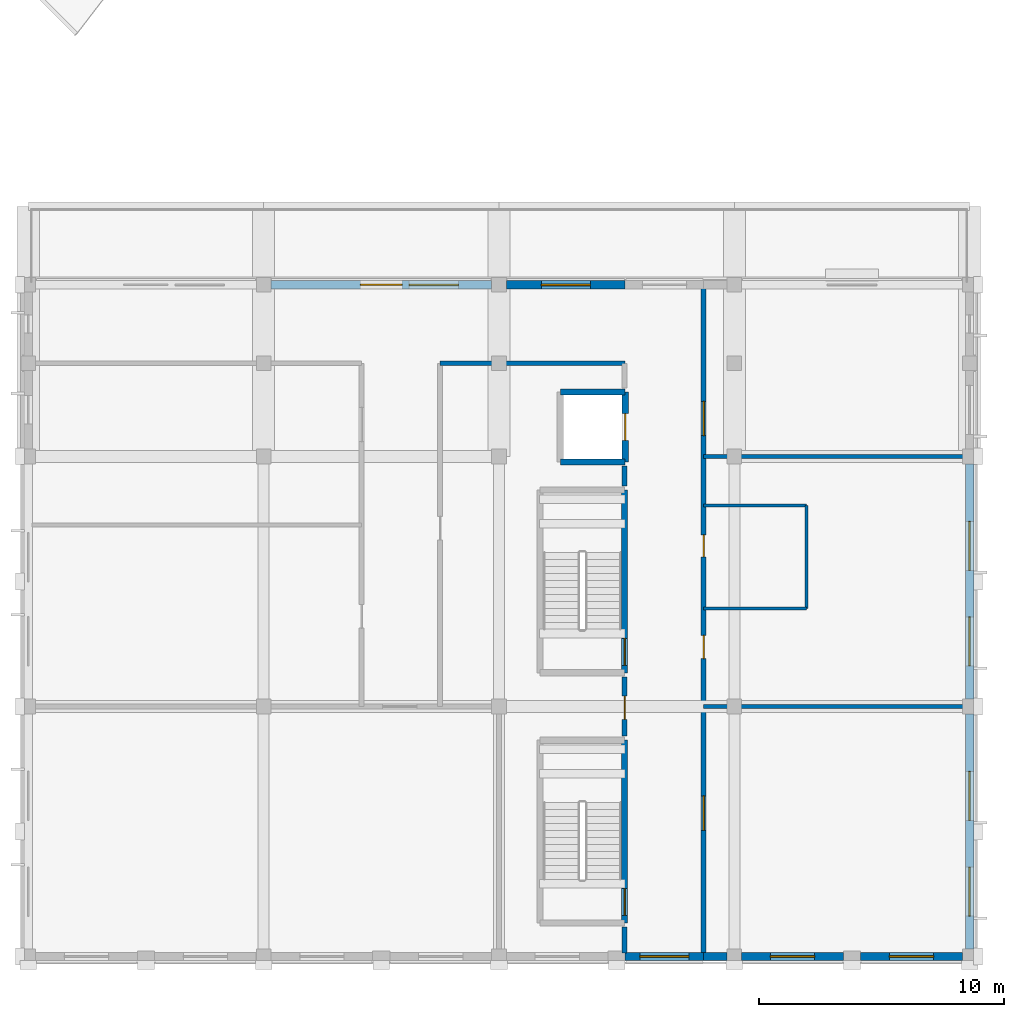
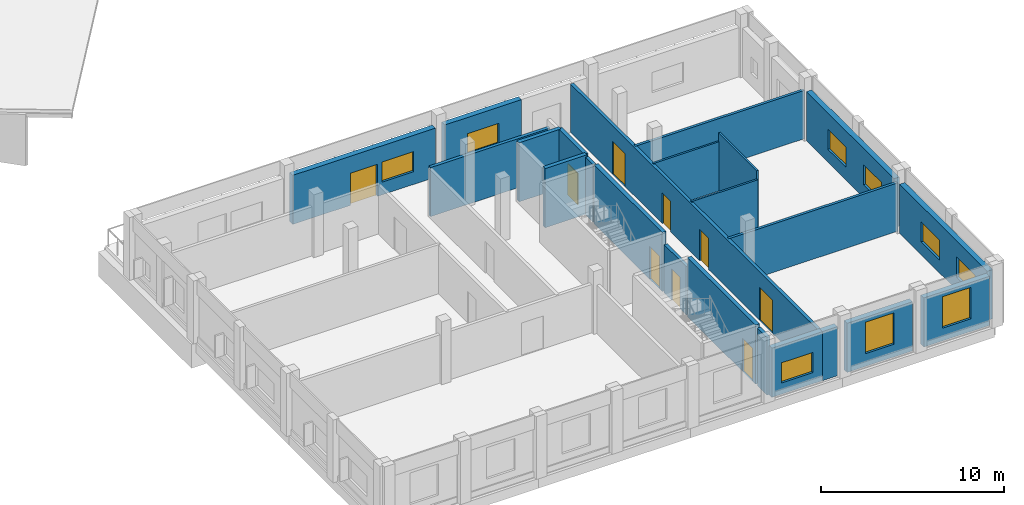
# One storey, part 185 of 200: 23 walls, 9 doors, 9 windows, 18 openings.
"""IFC4 building model written with IfcOpenShell, lengths in metres."""

from ifc_helpers import new_model, si_unit, direction, frame, frame_2d, origin, place, context, subcontext, project, spatial, rectangle, extrude, material, layer, layer_set, type_object, element, fill, save


model = new_model("IFC4")

# Units and contexts
model_context = context("Model", 3, precision=1e-05, world=origin(), true_north=direction((0.0, 1.0)))
body_context = subcontext(model_context, "Body", "Model", "MODEL_VIEW")
ifc_project = project(units=[si_unit("LENGTHUNIT", "METRE"), si_unit("AREAUNIT", "SQUARE_METRE"), si_unit("VOLUMEUNIT", "CUBIC_METRE"), si_unit("PLANEANGLEUNIT", "RADIAN"), si_unit("MASSUNIT", "GRAM", prefix="KILO")], contexts=[model_context])

# Site, building, storey
site_placement = place(None, origin())
site = spatial("IfcSite", under=ifc_project, at=site_placement, CompositionType="ELEMENT")
building_placement = place(site_placement, origin())
building = spatial("IfcBuilding", under=site, at=building_placement, Name="Vondelvale Polytechnic", CompositionType="ELEMENT")
storey_placement = place(building_placement, frame((0.0, 0.0, 13.800048828125)))
storey = spatial("IfcBuildingStorey", under=building, at=storey_placement, Name="L03", CompositionType="ELEMENT", Elevation=13.800048828125)

# Wall, opening, window
ifc_material_1 = material(Name="Amsterdam School iron-spot clinker clay brickwork", Category="masonry")
ifc_layer_1 = layer(ifc_material_1, 0.340087890625)
ifc_layer_set_1 = layer_set([ifc_layer_1], Name="WL-BRICK-340")
wall_type_1 = type_object("IfcWallType", Name="WL-BRICK-340", PredefinedType="SOLIDWALL", material=ifc_layer_set_1)
wall_1_placement = place(storey_placement, frame((161.949951171875, 0.0, 0.0), z_axis=(0.0, 0.0, 1.0), x_axis=(-1.0, 0.0, 0.0)))
wall_1 = element("IfcWall", 1, at=wall_1_placement, inside=storey, type_object=wall_type_1, Name="L03 exterior masonry facade wall", PredefinedType="SOLIDWALL", context=body_context, shape_type="SweptSolid", body=[
    extrude(rectangle(XDim=3.198974609375, YDim=0.340087890625, at=frame_2d((1.599609375, 0.0))), origin(), (0.0, 0.0, 1.0), 3.280029296875),
])
opening_1_placement = place(wall_1_placement, frame((0.599609375, 0.0, 0.75)))
opening_1 = element("IfcOpeningElement", 2, at=opening_1_placement, cuts=wall_1, Name="Opening WN-0397", PredefinedType="OPENING", context=body_context, shape_type="SweptSolid", body=[
    extrude(rectangle(XDim=2.0, YDim=1.35009765625, at=frame_2d((1.0, 0.675048828125))), frame((0.0, 0.179931640625, 0.0), z_axis=(0.0, -1.0, 0.0), x_axis=(1.0, 0.0, 0.0)), (0.0, 0.0, 1.0), 0.360107421875),
])
ifc_material_2 = material(Name="Double-glazed low-E insulated architectural glass", Category="glass")
window_type_1 = type_object("IfcWindowType", Name="WN-RIB-2000x1350", PartitioningType="SINGLE_PANEL", PredefinedType="WINDOW", material=ifc_material_2)
window_1_placement = place(opening_1_placement, origin())
window_1 = element("IfcWindow", 3, at=window_1_placement, inside=storey, type_object=window_type_1, Name="L03 double-glazed architectural window WN-0397", OverallHeight=1.35009765625, OverallWidth=2.0, PartitioningType="SINGLE_PANEL", PredefinedType="WINDOW", context=body_context, shape_type="SweptSolid", body=[
    extrude(rectangle(XDim=2.0, YDim=1.35009765625, at=frame_2d((1.0, 0.675048828125))), frame((0.0, 0.030029296875, 0.0), z_axis=(0.0, -1.0, 0.0), x_axis=(1.0, 0.0, 0.0)), (0.0, 0.0, 1.0), 0.06005859375),
])
fill(opening_1, window_1)

# Wall
wall_2_placement = place(storey_placement, frame((162.89892578125, 0.0, 0.0), z_axis=(0.0, 0.0, 1.0), x_axis=(-1.0, 0.0, 0.0)))
element("IfcWall", 4, at=wall_2_placement, inside=storey, type_object=wall_type_1, Name="L03 exterior masonry facade wall", PredefinedType="SOLIDWALL", context=body_context, shape_type="SweptSolid", body=[
    extrude(rectangle(XDim=0.948974609375, YDim=0.340087890625, at=frame_2d((0.474609375, 0.0))), origin(), (0.0, 0.0, 1.0), 3.280029296875),
])

# Wall, opening, window
wall_3_placement = place(storey_placement, frame((167.64892578125, 0.0, 0.0), z_axis=(0.0, 0.0, 1.0), x_axis=(-1.0, 0.0, 0.0)))
wall_3 = element("IfcWall", 5, at=wall_3_placement, inside=storey, type_object=wall_type_1, Name="L03 exterior masonry facade wall", PredefinedType="SOLIDWALL", context=body_context, shape_type="SweptSolid", body=[
    extrude(rectangle(XDim=4.14794921875, YDim=0.340087890625, at=frame_2d((2.073974609375, 0.0))), origin(), (0.0, 0.0, 1.0), 3.280029296875),
])
opening_2_placement = place(wall_3_placement, frame((1.174072265625, 0.0, 0.85009765625)))
opening_2 = element("IfcOpeningElement", 6, at=opening_2_placement, cuts=wall_3, Name="Opening WN-0398", PredefinedType="OPENING", context=body_context, shape_type="SweptSolid", body=[
    extrude(rectangle(XDim=1.800048828125, YDim=2.10009765625, at=frame_2d((0.89990234375, 1.050048828125))), frame((0.0, 0.179931640625, 0.0), z_axis=(0.0, -1.0, 0.0), x_axis=(1.0, 0.0, 0.0)), (0.0, 0.0, 1.0), 0.360107421875),
])
window_type_2 = type_object("IfcWindowType", Name="WN-LAB-1800x2100", PartitioningType="SINGLE_PANEL", PredefinedType="WINDOW", material=ifc_material_2)
window_2_placement = place(opening_2_placement, origin())
window_2 = element("IfcWindow", 7, at=window_2_placement, inside=storey, type_object=window_type_2, Name="L03 double-glazed architectural window WN-0398", OverallHeight=2.10009765625, OverallWidth=1.800048828125, PartitioningType="SINGLE_PANEL", PredefinedType="WINDOW", context=body_context, shape_type="SweptSolid", body=[
    extrude(rectangle(XDim=1.800048828125, YDim=2.10009765625, at=frame_2d((0.89990234375, 1.050048828125))), frame((0.0, 0.030029296875, 0.0), z_axis=(0.0, -1.0, 0.0), x_axis=(1.0, 0.0, 0.0)), (0.0, 0.0, 1.0), 0.06005859375),
])
fill(opening_2, window_2)

wall_4_placement = place(storey_placement, frame((172.4990234375, 0.0, 0.0), z_axis=(0.0, 0.0, 1.0), x_axis=(-1.0, 0.0, 0.0)))
wall_4 = element("IfcWall", 8, at=wall_4_placement, inside=storey, type_object=wall_type_1, Name="L03 exterior masonry facade wall", PredefinedType="SOLIDWALL", context=body_context, shape_type="SweptSolid", body=[
    extrude(rectangle(XDim=4.14794921875, YDim=0.340087890625, at=frame_2d((2.073974609375, 0.0))), origin(), (0.0, 0.0, 1.0), 3.280029296875),
])
opening_3_placement = place(wall_4_placement, frame((1.174072265625, 0.0, 0.85009765625)))
opening_3 = element("IfcOpeningElement", 9, at=opening_3_placement, cuts=wall_4, Name="Opening WN-0399", PredefinedType="OPENING", context=body_context, shape_type="SweptSolid", body=[
    extrude(rectangle(XDim=1.800048828125, YDim=2.10009765625, at=frame_2d((0.89990234375, 1.050048828125))), frame((0.0, 0.179931640625, 0.0), z_axis=(0.0, -1.0, 0.0), x_axis=(1.0, 0.0, 0.0)), (0.0, 0.0, 1.0), 0.360107421875),
])
window_3_placement = place(opening_3_placement, origin())
window_3 = element("IfcWindow", 10, at=window_3_placement, inside=storey, type_object=window_type_2, Name="L03 double-glazed architectural window WN-0399", OverallHeight=2.10009765625, OverallWidth=1.800048828125, PartitioningType="SINGLE_PANEL", PredefinedType="WINDOW", context=body_context, shape_type="SweptSolid", body=[
    extrude(rectangle(XDim=1.800048828125, YDim=2.10009765625, at=frame_2d((0.89990234375, 1.050048828125))), frame((0.0, 0.030029296875, 0.0), z_axis=(0.0, -1.0, 0.0), x_axis=(1.0, 0.0, 0.0)), (0.0, 0.0, 1.0), 0.06005859375),
])
fill(opening_3, window_3)

# Wall, openings, windows
wall_5_placement = place(storey_placement, frame((172.800048828125, 9.89892578125, 0.0), z_axis=(0.0, 0.0, 1.0), x_axis=(0.0, -1.0, 0.0)))
wall_5 = element("IfcWall", 11, at=wall_5_placement, inside=storey, type_object=wall_type_1, Name="L03 exterior masonry facade wall", PredefinedType="SOLIDWALL", context=body_context, shape_type="SweptSolid", body=[
    extrude(rectangle(XDim=9.597900390625, YDim=0.340087890625, at=frame_2d((4.798828125, 0.0))), origin(), (0.0, 0.0, 1.0), 3.280029296875),
])
opening_4_placement = place(wall_5_placement, frame((6.248046875, 0.0, 0.85009765625)))
opening_4 = element("IfcOpeningElement", 12, at=opening_4_placement, cuts=wall_5, Name="Opening WN-0406", PredefinedType="OPENING", context=body_context, shape_type="SweptSolid", body=[
    extrude(rectangle(XDim=2.0, YDim=1.35009765625, at=frame_2d((1.0, 0.675048828125))), frame((0.0, 0.179931640625, 0.0), z_axis=(0.0, -1.0, 0.0), x_axis=(1.0, 0.0, 0.0)), (0.0, 0.0, 1.0), 0.360107421875),
])
opening_5_placement = place(wall_5_placement, frame((2.347900390625, 0.0, 0.85009765625)))
opening_5 = element("IfcOpeningElement", 13, at=opening_5_placement, cuts=wall_5, Name="Opening WN-0407", PredefinedType="OPENING", context=body_context, shape_type="SweptSolid", body=[
    extrude(rectangle(XDim=2.0, YDim=1.35009765625, at=frame_2d((1.0, 0.675048828125))), frame((0.0, 0.179931640625, 0.0), z_axis=(0.0, -1.0, 0.0), x_axis=(1.0, 0.0, 0.0)), (0.0, 0.0, 1.0), 0.360107421875),
])
window_4_placement = place(opening_4_placement, origin())
window_4 = element("IfcWindow", 14, at=window_4_placement, inside=storey, type_object=window_type_1, Name="L03 double-glazed architectural window WN-0406", OverallHeight=1.35009765625, OverallWidth=2.0, PartitioningType="SINGLE_PANEL", PredefinedType="WINDOW", context=body_context, shape_type="SweptSolid", body=[
    extrude(rectangle(XDim=2.0, YDim=1.35009765625, at=frame_2d((1.0, 0.675048828125))), frame((0.0, 0.030029296875, 0.0), z_axis=(0.0, -1.0, 0.0), x_axis=(1.0, 0.0, 0.0)), (0.0, 0.0, 1.0), 0.06005859375),
])
fill(opening_4, window_4)
window_5_placement = place(opening_5_placement, origin())
window_5 = element("IfcWindow", 15, at=window_5_placement, inside=storey, type_object=window_type_1, Name="L03 double-glazed architectural window WN-0407", OverallHeight=1.35009765625, OverallWidth=2.0, PartitioningType="SINGLE_PANEL", PredefinedType="WINDOW", context=body_context, shape_type="SweptSolid", body=[
    extrude(rectangle(XDim=2.0, YDim=1.35009765625, at=frame_2d((1.0, 0.675048828125))), frame((0.0, 0.030029296875, 0.0), z_axis=(0.0, -1.0, 0.0), x_axis=(1.0, 0.0, 0.0)), (0.0, 0.0, 1.0), 0.06005859375),
])
fill(opening_5, window_5)

wall_6_placement = place(storey_placement, frame((172.800048828125, 20.09912109375, 0.0), z_axis=(0.0, 0.0, 1.0), x_axis=(0.0, -1.0, 0.0)))
wall_6 = element("IfcWall", 16, at=wall_6_placement, inside=storey, type_object=wall_type_1, Name="L03 exterior masonry facade wall", PredefinedType="SOLIDWALL", context=body_context, shape_type="SweptSolid", body=[
    extrude(rectangle(XDim=9.59814453125, YDim=0.340087890625, at=frame_2d((4.799072265625, 0.0))), origin(), (0.0, 0.0, 1.0), 3.280029296875),
])
opening_6_placement = place(wall_6_placement, frame((6.248046875, 0.0, 0.85009765625)))
opening_6 = element("IfcOpeningElement", 17, at=opening_6_placement, cuts=wall_6, Name="Opening WN-0408", PredefinedType="OPENING", context=body_context, shape_type="SweptSolid", body=[
    extrude(rectangle(XDim=2.0, YDim=1.35009765625, at=frame_2d((1.0, 0.675048828125))), frame((0.0, 0.179931640625, 0.0), z_axis=(0.0, -1.0, 0.0), x_axis=(1.0, 0.0, 0.0)), (0.0, 0.0, 1.0), 0.360107421875),
])
opening_7_placement = place(wall_6_placement, frame((2.347900390625, 0.0, 0.85009765625)))
opening_7 = element("IfcOpeningElement", 18, at=opening_7_placement, cuts=wall_6, Name="Opening WN-0409", PredefinedType="OPENING", context=body_context, shape_type="SweptSolid", body=[
    extrude(rectangle(XDim=2.0, YDim=1.35009765625, at=frame_2d((1.0, 0.675048828125))), frame((0.0, 0.179931640625, 0.0), z_axis=(0.0, -1.0, 0.0), x_axis=(1.0, 0.0, 0.0)), (0.0, 0.0, 1.0), 0.360107421875),
])
window_6_placement = place(opening_6_placement, origin())
window_6 = element("IfcWindow", 19, at=window_6_placement, inside=storey, type_object=window_type_1, Name="L03 double-glazed architectural window WN-0408", OverallHeight=1.35009765625, OverallWidth=2.0, PartitioningType="SINGLE_PANEL", PredefinedType="WINDOW", context=body_context, shape_type="SweptSolid", body=[
    extrude(rectangle(XDim=2.0, YDim=1.35009765625, at=frame_2d((1.0, 0.675048828125))), frame((0.0, 0.030029296875, 0.0), z_axis=(0.0, -1.0, 0.0), x_axis=(1.0, 0.0, 0.0)), (0.0, 0.0, 1.0), 0.06005859375),
])
fill(opening_6, window_6)
window_7_placement = place(opening_7_placement, origin())
window_7 = element("IfcWindow", 20, at=window_7_placement, inside=storey, type_object=window_type_1, Name="L03 double-glazed architectural window WN-0409", OverallHeight=1.35009765625, OverallWidth=2.0, PartitioningType="SINGLE_PANEL", PredefinedType="WINDOW", context=body_context, shape_type="SweptSolid", body=[
    extrude(rectangle(XDim=2.0, YDim=1.35009765625, at=frame_2d((1.0, 0.675048828125))), frame((0.0, 0.030029296875, 0.0), z_axis=(0.0, -1.0, 0.0), x_axis=(1.0, 0.0, 0.0)), (0.0, 0.0, 1.0), 0.06005859375),
])
fill(opening_7, window_7)

# Wall, openings, door, window
wall_7_placement = place(storey_placement, frame((144.301025390625, 27.39990234375, 0.0), z_axis=(0.0, 0.0, 1.0), x_axis=(1.0, 0.0, 0.0)))
wall_7 = element("IfcWall", 21, at=wall_7_placement, inside=storey, type_object=wall_type_1, Name="L03 exterior masonry facade wall", PredefinedType="SOLIDWALL", context=body_context, shape_type="SweptSolid", body=[
    extrude(rectangle(XDim=8.998046875, YDim=0.340087890625, at=frame_2d((4.4990234375, 0.0))), origin(), (0.0, 0.0, 1.0), 3.280029296875),
])
opening_8_placement = place(wall_7_placement, frame((3.64892578125, 0.0, 0.0)))
opening_8 = element("IfcOpeningElement", 22, at=opening_8_placement, cuts=wall_7, Name="Opening ED-023", PredefinedType="OPENING", context=body_context, shape_type="SweptSolid", body=[
    extrude(rectangle(XDim=1.699951171875, YDim=2.14990234375, at=frame_2d((0.85009765625, 1.074951171875))), frame((0.0, 0.179931640625, 0.0), z_axis=(0.0, -1.0, 0.0), x_axis=(1.0, 0.0, 0.0)), (0.0, 0.0, 1.0), 0.360107421875),
])
opening_9_placement = place(wall_7_placement, frame((5.638916015625, 0.0, 0.85009765625)))
opening_9 = element("IfcOpeningElement", 23, at=opening_9_placement, cuts=wall_7, Name="Opening WN-0413", PredefinedType="OPENING", context=body_context, shape_type="SweptSolid", body=[
    extrude(rectangle(XDim=2.0, YDim=1.35009765625, at=frame_2d((1.0, 0.675048828125))), frame((0.0, 0.179931640625, 0.0), z_axis=(0.0, -1.0, 0.0), x_axis=(1.0, 0.0, 0.0)), (0.0, 0.0, 1.0), 0.360107421875),
])
ifc_material_3 = material(Name="Anodised extruded aluminium 6063-T6", Category="aluminium")
door_type_1 = type_object("IfcDoorType", Name="DR-TER-1700x2150", OperationType="DOUBLE_DOOR_SINGLE_SWING", PredefinedType="DOOR", material=ifc_material_3)
door_1_placement = place(opening_8_placement, origin())
door_1 = element("IfcDoor", 24, at=door_1_placement, inside=storey, type_object=door_type_1, Name="L03 exterior entrance/exit door ED-023", OperationType="DOUBLE_DOOR_SINGLE_SWING", OverallHeight=2.14990234375, OverallWidth=1.699951171875, PredefinedType="DOOR", context=body_context, shape_type="SweptSolid", body=[
    extrude(rectangle(XDim=1.699951171875, YDim=2.14990234375, at=frame_2d((0.85009765625, 1.074951171875))), frame((0.0, 0.02490234375, 0.0), z_axis=(0.0, -1.0, 0.0), x_axis=(1.0, 0.0, 0.0)), (0.0, 0.0, 1.0), 0.050048828125),
])
fill(opening_8, door_1)
window_8_placement = place(opening_9_placement, origin())
window_8 = element("IfcWindow", 25, at=window_8_placement, inside=storey, type_object=window_type_1, Name="L03 double-glazed architectural window WN-0413", OverallHeight=1.35009765625, OverallWidth=2.0, PartitioningType="SINGLE_PANEL", PredefinedType="WINDOW", context=body_context, shape_type="SweptSolid", body=[
    extrude(rectangle(XDim=2.0, YDim=1.35009765625, at=frame_2d((1.0, 0.675048828125))), frame((0.0, 0.030029296875, 0.0), z_axis=(0.0, -1.0, 0.0), x_axis=(1.0, 0.0, 0.0)), (0.0, 0.0, 1.0), 0.06005859375),
])
fill(opening_9, window_8)

# Wall, opening, window
wall_8_placement = place(storey_placement, frame((153.90087890625, 27.39990234375, 0.0), z_axis=(0.0, 0.0, 1.0), x_axis=(1.0, 0.0, 0.0)))
wall_8 = element("IfcWall", 26, at=wall_8_placement, inside=storey, type_object=wall_type_1, Name="L03 exterior masonry facade wall", PredefinedType="SOLIDWALL", context=body_context, shape_type="SweptSolid", body=[
    extrude(rectangle(XDim=4.84912109375, YDim=0.340087890625, at=frame_2d((2.424560546875, 0.0))), origin(), (0.0, 0.0, 1.0), 3.280029296875),
])
opening_10_placement = place(wall_8_placement, frame((1.424560546875, 0.0, 0.85009765625)))
opening_10 = element("IfcOpeningElement", 27, at=opening_10_placement, cuts=wall_8, Name="Opening WN-0414", PredefinedType="OPENING", context=body_context, shape_type="SweptSolid", body=[
    extrude(rectangle(XDim=2.0, YDim=1.35009765625, at=frame_2d((1.0, 0.675048828125))), frame((0.0, 0.179931640625, 0.0), z_axis=(0.0, -1.0, 0.0), x_axis=(1.0, 0.0, 0.0)), (0.0, 0.0, 1.0), 0.360107421875),
])
window_9_placement = place(opening_10_placement, origin())
window_9 = element("IfcWindow", 28, at=window_9_placement, inside=storey, type_object=window_type_1, Name="L03 double-glazed architectural window WN-0414", OverallHeight=1.35009765625, OverallWidth=2.0, PartitioningType="SINGLE_PANEL", PredefinedType="WINDOW", context=body_context, shape_type="SweptSolid", body=[
    extrude(rectangle(XDim=2.0, YDim=1.35009765625, at=frame_2d((1.0, 0.675048828125))), frame((0.0, 0.030029296875, 0.0), z_axis=(0.0, -1.0, 0.0), x_axis=(1.0, 0.0, 0.0)), (0.0, 0.0, 1.0), 0.06005859375),
])
fill(opening_10, window_9)

# Wall, opening, door
ifc_material_4 = material(Name="Concrete N40 (f'c = 40 MPa)", Category="concrete")
ifc_layer_2 = layer(ifc_material_4, 0.25)
ifc_layer_set_2 = layer_set([ifc_layer_2], Name="WL-CORE-250")
wall_type_2 = type_object("IfcWallType", Name="WL-CORE-250", PredefinedType="SOLIDWALL", material=ifc_layer_set_2)
wall_9_placement = place(storey_placement, frame((158.72509765625, 1.375, 0.0), z_axis=(0.0, 0.0, 1.0), x_axis=(0.0, 1.0, 0.0)))
wall_9 = element("IfcWall", 29, at=wall_9_placement, inside=storey, type_object=wall_type_2, Name="L03 ST-06 reinforced concrete stair core wall", PredefinedType="SOLIDWALL", context=body_context, shape_type="SweptSolid", body=[
    extrude(rectangle(XDim=7.449951171875, YDim=0.25, at=frame_2d((3.72509765625, 0.0))), origin(), (0.0, 0.0, 1.0), 3.949951171875),
])
opening_11_placement = place(wall_9_placement, frame((0.300048828125, 0.0, 0.0)))
opening_11 = element("IfcOpeningElement", 30, at=opening_11_placement, cuts=wall_9, Name="Opening SD-037", PredefinedType="OPENING", context=body_context, shape_type="SweptSolid", body=[
    extrude(rectangle(XDim=1.10009765625, YDim=2.199951171875, at=frame_2d((0.550048828125, 1.10009765625))), frame((0.0, 0.135009765625, 0.0), z_axis=(0.0, -1.0, 0.0), x_axis=(1.0, 0.0, 0.0)), (0.0, 0.0, 1.0), 0.27001953125),
])
ifc_material_5 = material(Name="Brushed architectural stainless and zinc-coated metal")
door_type_2 = type_object("IfcDoorType", Name="DR-STAIR-1100x2200", OperationType="SINGLE_SWING_LEFT", PredefinedType="DOOR", material=ifc_material_5)
door_2_placement = place(opening_11_placement, origin())
door_2 = element("IfcDoor", 31, at=door_2_placement, inside=storey, type_object=door_type_2, Name="L03 ST-06 fire-isolated stair door", OperationType="SINGLE_SWING_LEFT", OverallHeight=2.199951171875, OverallWidth=1.10009765625, PredefinedType="DOOR", context=body_context, shape_type="SweptSolid", body=[
    extrude(rectangle(XDim=1.10009765625, YDim=2.199951171875, at=frame_2d((0.550048828125, 1.10009765625))), frame((0.0, 0.02490234375, 0.0), z_axis=(0.0, -1.0, 0.0), x_axis=(1.0, 0.0, 0.0)), (0.0, 0.0, 1.0), 0.050048828125),
])
fill(opening_11, door_2)

wall_10_placement = place(storey_placement, frame((158.72509765625, 11.574951171875, 0.0), z_axis=(0.0, 0.0, 1.0), x_axis=(0.0, 1.0, 0.0)))
wall_10 = element("IfcWall", 32, at=wall_10_placement, inside=storey, type_object=wall_type_2, Name="L03 ST-07 reinforced concrete stair core wall", PredefinedType="SOLIDWALL", context=body_context, shape_type="SweptSolid", body=[
    extrude(rectangle(XDim=7.449951171875, YDim=0.25, at=frame_2d((3.72509765625, 0.0))), origin(), (0.0, 0.0, 1.0), 3.949951171875),
])
opening_12_placement = place(wall_10_placement, frame((0.300048828125, 0.0, 0.0)))
opening_12 = element("IfcOpeningElement", 33, at=opening_12_placement, cuts=wall_10, Name="Opening SD-043", PredefinedType="OPENING", context=body_context, shape_type="SweptSolid", body=[
    extrude(rectangle(XDim=1.10009765625, YDim=2.199951171875, at=frame_2d((0.550048828125, 1.10009765625))), frame((0.0, 0.135009765625, 0.0), z_axis=(0.0, -1.0, 0.0), x_axis=(1.0, 0.0, 0.0)), (0.0, 0.0, 1.0), 0.27001953125),
])
door_3_placement = place(opening_12_placement, origin())
door_3 = element("IfcDoor", 34, at=door_3_placement, inside=storey, type_object=door_type_2, Name="L03 ST-07 fire-isolated stair door", OperationType="SINGLE_SWING_LEFT", OverallHeight=2.199951171875, OverallWidth=1.10009765625, PredefinedType="DOOR", context=body_context, shape_type="SweptSolid", body=[
    extrude(rectangle(XDim=1.10009765625, YDim=2.199951171875, at=frame_2d((0.550048828125, 1.10009765625))), frame((0.0, 0.02490234375, 0.0), z_axis=(0.0, -1.0, 0.0), x_axis=(1.0, 0.0, 0.0)), (0.0, 0.0, 1.0), 0.050048828125),
])
fill(opening_12, door_3)

# Walls
ifc_material_6 = material(Name="Fire-rated double-layer plasterboard stud partition")
ifc_layer_3 = layer(ifc_material_6, 0.199951171875)
ifc_layer_set_3 = layer_set([ifc_layer_3], Name="WL-CORR-200")
wall_type_3 = type_object("IfcWallType", Name="WL-CORR-200", PredefinedType="PARTITIONING", material=ifc_layer_set_3)
wall_11_placement = place(storey_placement, frame((151.199951171875, 24.199951171875, 0.0), z_axis=(0.0, 0.0, 1.0), x_axis=(1.0, 0.0, 0.0)))
element("IfcWall", 35, at=wall_11_placement, inside=storey, type_object=wall_type_3, Name="L03 interior acoustic partition", PredefinedType="PARTITIONING", context=body_context, shape_type="SweptSolid", body=[
    extrude(rectangle(XDim=7.550048828125, YDim=0.199951171875, at=frame_2d((3.77490234375, 0.0))), origin(), (0.0, 0.0, 1.0), 3.280029296875),
])
wall_12_placement = place(storey_placement, frame((158.72509765625, 0.14990234375, 0.0), z_axis=(0.0, 0.0, 1.0), x_axis=(0.0, 1.0, 0.0)))
element("IfcWall", 36, at=wall_12_placement, inside=storey, type_object=wall_type_3, Name="L03 interior acoustic partition", PredefinedType="PARTITIONING", context=body_context, shape_type="SweptSolid", body=[
    extrude(rectangle(XDim=1.06005859375, YDim=0.199951171875, at=frame_2d((0.530029296875, 0.0))), origin(), (0.0, 0.0, 1.0), 3.849853515625),
])

# Wall, opening, door
wall_13_placement = place(storey_placement, frame((158.72509765625, 8.989990234375, 0.0), z_axis=(0.0, 0.0, 1.0), x_axis=(0.0, 1.0, 0.0)))
wall_13 = element("IfcWall", 37, at=wall_13_placement, inside=storey, type_object=wall_type_3, Name="L03 interior acoustic partition", PredefinedType="PARTITIONING", context=body_context, shape_type="SweptSolid", body=[
    extrude(rectangle(XDim=2.419921875, YDim=0.199951171875, at=frame_2d((1.2099609375, 0.0))), origin(), (0.0, 0.0, 1.0), 3.22998046875),
])
opening_13_placement = place(wall_13_placement, frame((0.68505859375, 0.0, 0.0)))
opening_13 = element("IfcOpeningElement", 38, at=opening_13_placement, cuts=wall_13, Name="Opening ID-0258", PredefinedType="OPENING", context=body_context, shape_type="SweptSolid", body=[
    extrude(rectangle(XDim=0.949951171875, YDim=2.10009765625, at=frame_2d((0.47509765625, 1.050048828125))), frame((0.0, 0.10986328125, 0.0), z_axis=(0.0, -1.0, 0.0), x_axis=(1.0, 0.0, 0.0)), (0.0, 0.0, 1.0), 0.219970703125),
])
ifc_material_7 = material(Name="Fire-rated solid Tasmanian oak joinery")
door_type_3 = type_object("IfcDoorType", Name="DR-INT-0950x2100", OperationType="SINGLE_SWING_LEFT", PredefinedType="DOOR", material=ifc_material_7)
door_4_placement = place(opening_13_placement, origin())
door_4 = element("IfcDoor", 39, at=door_4_placement, inside=storey, type_object=door_type_3, Name="L03 interior room door ID-0258", OperationType="SINGLE_SWING_RIGHT", OverallHeight=2.10009765625, OverallWidth=0.949951171875, PredefinedType="DOOR", context=body_context, shape_type="SweptSolid", body=[
    extrude(rectangle(XDim=0.949951171875, YDim=2.10009765625, at=frame_2d((0.47509765625, 1.050048828125))), frame((0.0, 0.02490234375, 0.0), z_axis=(0.0, -1.0, 0.0), x_axis=(1.0, 0.0, 0.0)), (0.0, 0.0, 1.0), 0.050048828125),
])
fill(opening_13, door_4)

# Wall
wall_14_placement = place(storey_placement, frame((158.72509765625, 19.18994140625, 0.0), z_axis=(0.0, 0.0, 1.0), x_axis=(0.0, 1.0, 0.0)))
element("IfcWall", 40, at=wall_14_placement, inside=storey, type_object=wall_type_3, Name="L03 interior acoustic partition", PredefinedType="PARTITIONING", context=body_context, shape_type="SweptSolid", body=[
    extrude(rectangle(XDim=0.820068359375, YDim=0.199951171875, at=frame_2d((0.41015625, 0.0))), origin(), (0.0, 0.0, 1.0), 3.849853515625),
])

# Wall, openings, doors
wall_15_placement = place(storey_placement, frame((161.949951171875, 0.14990234375, 0.0), z_axis=(0.0, 0.0, 1.0), x_axis=(0.0, 1.0, 0.0)))
wall_15 = element("IfcWall", 41, at=wall_15_placement, inside=storey, type_object=wall_type_3, Name="L03 interior acoustic partition", PredefinedType="PARTITIONING", context=body_context, shape_type="SweptSolid", body=[
    extrude(rectangle(XDim=27.10009765625, YDim=0.199951171875, at=frame_2d((13.550048828125, 0.0))), origin(), (0.0, 0.0, 1.0), 3.22998046875),
])
opening_14_placement = place(wall_15_placement, frame((5.0, 0.0, 0.0)))
opening_14 = element("IfcOpeningElement", 42, at=opening_14_placement, cuts=wall_15, Name="Opening ID-0259", PredefinedType="OPENING", context=body_context, shape_type="SweptSolid", body=[
    extrude(rectangle(XDim=1.39990234375, YDim=2.199951171875, at=frame_2d((0.699951171875, 1.10009765625))), frame((0.0, 0.10986328125, 0.0), z_axis=(0.0, -1.0, 0.0), x_axis=(1.0, 0.0, 0.0)), (0.0, 0.0, 1.0), 0.219970703125),
])
opening_15_placement = place(wall_15_placement, frame((12.0, 0.0, 0.0)))
opening_15 = element("IfcOpeningElement", 43, at=opening_15_placement, cuts=wall_15, Name="Opening ID-0260", PredefinedType="OPENING", context=body_context, shape_type="SweptSolid", body=[
    extrude(rectangle(XDim=0.949951171875, YDim=2.10009765625, at=frame_2d((0.47509765625, 1.050048828125))), frame((0.0, 0.10986328125, 0.0), z_axis=(0.0, -1.0, 0.0), x_axis=(1.0, 0.0, 0.0)), (0.0, 0.0, 1.0), 0.219970703125),
])
opening_16_placement = place(wall_15_placement, frame((16.14990234375, 0.0, 0.0)))
opening_16 = element("IfcOpeningElement", 44, at=opening_16_placement, cuts=wall_15, Name="Opening ID-0261", PredefinedType="OPENING", context=body_context, shape_type="SweptSolid", body=[
    extrude(rectangle(XDim=0.89990234375, YDim=2.050048828125, at=frame_2d((0.449951171875, 1.02490234375))), frame((0.0, 0.10986328125, 0.0), z_axis=(0.0, -1.0, 0.0), x_axis=(1.0, 0.0, 0.0)), (0.0, 0.0, 1.0), 0.219970703125),
])
opening_17_placement = place(wall_15_placement, frame((21.10009765625, 0.0, 0.0)))
opening_17 = element("IfcOpeningElement", 45, at=opening_17_placement, cuts=wall_15, Name="Opening ID-0262", PredefinedType="OPENING", context=body_context, shape_type="SweptSolid", body=[
    extrude(rectangle(XDim=1.39990234375, YDim=2.199951171875, at=frame_2d((0.699951171875, 1.10009765625))), frame((0.0, 0.10986328125, 0.0), z_axis=(0.0, -1.0, 0.0), x_axis=(1.0, 0.0, 0.0)), (0.0, 0.0, 1.0), 0.219970703125),
])
door_5_placement = place(opening_15_placement, origin())
door_5 = element("IfcDoor", 46, at=door_5_placement, inside=storey, type_object=door_type_3, Name="L03 interior room door ID-0260", OperationType="SINGLE_SWING_RIGHT", OverallHeight=2.10009765625, OverallWidth=0.949951171875, PredefinedType="DOOR", context=body_context, shape_type="SweptSolid", body=[
    extrude(rectangle(XDim=0.949951171875, YDim=2.10009765625, at=frame_2d((0.47509765625, 1.050048828125))), frame((0.0, 0.02490234375, 0.0), z_axis=(0.0, -1.0, 0.0), x_axis=(1.0, 0.0, 0.0)), (0.0, 0.0, 1.0), 0.050048828125),
])
fill(opening_15, door_5)
door_type_4 = type_object("IfcDoorType", Name="DR-LAB-1400x2200", OperationType="DOUBLE_DOOR_SINGLE_SWING", PredefinedType="DOOR", material=ifc_material_7)
door_6_placement = place(opening_14_placement, origin())
door_6 = element("IfcDoor", 47, at=door_6_placement, inside=storey, type_object=door_type_4, Name="L03 interior room door ID-0259", OperationType="DOUBLE_DOOR_SINGLE_SWING", OverallHeight=2.199951171875, OverallWidth=1.39990234375, PredefinedType="DOOR", context=body_context, shape_type="SweptSolid", body=[
    extrude(rectangle(XDim=1.39990234375, YDim=2.199951171875, at=frame_2d((0.699951171875, 1.10009765625))), frame((0.0, 0.02490234375, 0.0), z_axis=(0.0, -1.0, 0.0), x_axis=(1.0, 0.0, 0.0)), (0.0, 0.0, 1.0), 0.050048828125),
])
fill(opening_14, door_6)
door_7_placement = place(opening_17_placement, origin())
door_7 = element("IfcDoor", 48, at=door_7_placement, inside=storey, type_object=door_type_4, Name="L03 interior room door ID-0262", OperationType="DOUBLE_DOOR_SINGLE_SWING", OverallHeight=2.199951171875, OverallWidth=1.39990234375, PredefinedType="DOOR", context=body_context, shape_type="SweptSolid", body=[
    extrude(rectangle(XDim=1.39990234375, YDim=2.199951171875, at=frame_2d((0.699951171875, 1.10009765625))), frame((0.0, 0.02490234375, 0.0), z_axis=(0.0, -1.0, 0.0), x_axis=(1.0, 0.0, 0.0)), (0.0, 0.0, 1.0), 0.050048828125),
])
fill(opening_17, door_7)
door_type_5 = type_object("IfcDoorType", Name="DR-WC-0900x2050", OperationType="SINGLE_SWING_RIGHT", PredefinedType="DOOR", material=ifc_material_7)
door_8_placement = place(opening_16_placement, origin())
door_8 = element("IfcDoor", 49, at=door_8_placement, inside=storey, type_object=door_type_5, Name="L03 interior room door ID-0261", OperationType="SINGLE_SWING_LEFT", OverallHeight=2.050048828125, OverallWidth=0.89990234375, PredefinedType="DOOR", context=body_context, shape_type="SweptSolid", body=[
    extrude(rectangle(XDim=0.89990234375, YDim=2.050048828125, at=frame_2d((0.449951171875, 1.02490234375))), frame((0.0, 0.02490234375, 0.0), z_axis=(0.0, -1.0, 0.0), x_axis=(1.0, 0.0, 0.0)), (0.0, 0.0, 1.0), 0.050048828125),
])
fill(opening_16, door_8)

# Walls
ifc_layer_4 = layer(ifc_material_6, 0.1201171875)
ifc_layer_set_4 = layer_set([ifc_layer_4], Name="WL-INT-120")
wall_type_4 = type_object("IfcWallType", Name="WL-INT-120", PredefinedType="PARTITIONING", material=ifc_layer_set_4)
wall_16_placement = place(storey_placement, frame((161.949951171875, 14.199951171875, 0.0), z_axis=(0.0, 0.0, 1.0), x_axis=(1.0, 0.0, 0.0)))
element("IfcWall", 50, at=wall_16_placement, inside=storey, type_object=wall_type_4, Name="L03 interior acoustic partition", PredefinedType="PARTITIONING", context=body_context, shape_type="SweptSolid", body=[
    extrude(rectangle(XDim=4.199951171875, YDim=0.1201171875, at=frame_2d((2.10009765625, 0.0))), origin(), (0.0, 0.0, 1.0), 3.280029296875),
])
wall_17_placement = place(storey_placement, frame((166.14990234375, 14.199951171875, 0.0), z_axis=(0.0, 0.0, 1.0), x_axis=(0.0, 1.0, 0.0)))
element("IfcWall", 51, at=wall_17_placement, inside=storey, type_object=wall_type_4, Name="L03 interior acoustic partition", PredefinedType="PARTITIONING", context=body_context, shape_type="SweptSolid", body=[
    extrude(rectangle(XDim=4.199951171875, YDim=0.1201171875, at=frame_2d((2.10009765625, 0.0))), origin(), (0.0, 0.0, 1.0), 3.849853515625),
])
wall_18_placement = place(storey_placement, frame((161.949951171875, 18.39990234375, 0.0), z_axis=(0.0, 0.0, 1.0), x_axis=(1.0, 0.0, 0.0)))
element("IfcWall", 52, at=wall_18_placement, inside=storey, type_object=wall_type_4, Name="L03 interior acoustic partition", PredefinedType="PARTITIONING", context=body_context, shape_type="SweptSolid", body=[
    extrude(rectangle(XDim=4.199951171875, YDim=0.1201171875, at=frame_2d((2.10009765625, 0.0))), origin(), (0.0, 0.0, 1.0), 3.280029296875),
])
ifc_layer_5 = layer(ifc_material_6, 0.1650390625)
ifc_layer_set_5 = layer_set([ifc_layer_5], Name="WL-INT-165")
wall_type_5 = type_object("IfcWallType", Name="WL-INT-165", PredefinedType="PARTITIONING", material=ifc_layer_set_5)
for number, where, z_axis, x_axis, name in (
    (53, (161.949951171875, 10.199951171875, 0.0), (0.0, 0.0, 1.0), (1.0, 0.0, 0.0), "L03 interior acoustic partition"),
    (54, (161.949951171875, 20.39990234375, 0.0), (0.0, 0.0, 1.0), (1.0, 0.0, 0.0), "L03 interior acoustic partition"),
):
    element("IfcWall", number, at=place(storey_placement, frame(where, z_axis=z_axis, x_axis=x_axis)), inside=storey, type_object=wall_type_5, Name=name, PredefinedType="PARTITIONING", context=body_context, shape_type="SweptSolid", body=[
        extrude(rectangle(XDim=10.699951171875, YDim=0.1650390625, at=frame_2d((5.35009765625, 0.0))), origin(), (0.0, 0.0, 1.0), 3.22998046875),
    ])
ifc_layer_6 = layer(ifc_material_4, 0.25)
ifc_layer_set_6 = layer_set([ifc_layer_6], Name="WL-SHAFT-250")
wall_type_6 = type_object("IfcWallType", Name="WL-SHAFT-250", PredefinedType="SOLIDWALL", material=ifc_layer_set_6)
wall_19_placement = place(storey_placement, frame((156.10009765625, 20.175048828125, 0.0), z_axis=(0.0, 0.0, 1.0), x_axis=(1.0, 0.0, 0.0)))
element("IfcWall", 55, at=wall_19_placement, inside=storey, type_object=wall_type_6, Name="L03 PL-03 lift shaft wall S", PredefinedType="SOLIDWALL", context=body_context, shape_type="SweptSolid", body=[
    extrude(rectangle(XDim=2.64990234375, YDim=0.25, at=frame_2d((1.324951171875, 0.0))), origin(), (0.0, 0.0, 1.0), 3.949951171875),
])

# Wall, opening, door
wall_20_placement = place(storey_placement, frame((158.75, 20.175048828125, 0.0), z_axis=(0.0, 0.0, 1.0), x_axis=(0.0, 1.0, 0.0)))
wall_20 = element("IfcWall", 56, at=wall_20_placement, inside=storey, type_object=wall_type_6, Name="L03 PL-03 lift shaft wall E", PredefinedType="SOLIDWALL", context=body_context, shape_type="SweptSolid", body=[
    extrude(rectangle(XDim=2.849853515625, YDim=0.25, at=frame_2d((1.4248046875, 0.0))), origin(), (0.0, 0.0, 1.0), 3.949951171875),
])
opening_18_placement = place(wall_20_placement, frame((0.875, 0.0, 0.0)))
opening_18 = element("IfcOpeningElement", 57, at=opening_18_placement, cuts=wall_20, Name="Opening LD-040", PredefinedType="OPENING", context=body_context, shape_type="SweptSolid", body=[
    extrude(rectangle(XDim=1.10009765625, YDim=2.10009765625, at=frame_2d((0.550048828125, 1.050048828125))), frame((0.0, 0.135009765625, 0.0), z_axis=(0.0, -1.0, 0.0), x_axis=(1.0, 0.0, 0.0)), (0.0, 0.0, 1.0), 0.27001953125),
])
door_type_6 = type_object("IfcDoorType", Name="DR-LIFT-1100x2100", OperationType="SLIDING_TO_LEFT", PredefinedType="DOOR", material=ifc_material_5)
door_9_placement = place(opening_18_placement, origin())
door_9 = element("IfcDoor", 58, at=door_9_placement, inside=storey, type_object=door_type_6, Name="L03 PL-03 sliding lift landing door", OperationType="SLIDING_TO_LEFT", OverallHeight=2.10009765625, OverallWidth=1.10009765625, PredefinedType="DOOR", context=body_context, shape_type="SweptSolid", body=[
    extrude(rectangle(XDim=1.10009765625, YDim=2.10009765625, at=frame_2d((0.550048828125, 1.050048828125))), frame((0.0, 0.02490234375, 0.0), z_axis=(0.0, -1.0, 0.0), x_axis=(1.0, 0.0, 0.0)), (0.0, 0.0, 1.0), 0.050048828125),
])
fill(opening_18, door_9)

# Wall
wall_21_placement = place(storey_placement, frame((158.75, 23.02490234375, 0.0), z_axis=(0.0, 0.0, 1.0), x_axis=(-1.0, 0.0, 0.0)))
element("IfcWall", 59, at=wall_21_placement, inside=storey, type_object=wall_type_6, Name="L03 PL-03 lift shaft wall N", PredefinedType="SOLIDWALL", context=body_context, shape_type="SweptSolid", body=[
    extrude(rectangle(XDim=2.64990234375, YDim=0.25, at=frame_2d((1.324951171875, 0.0))), origin(), (0.0, 0.0, 1.0), 3.949951171875),
])

save(model, "model.ifc")
